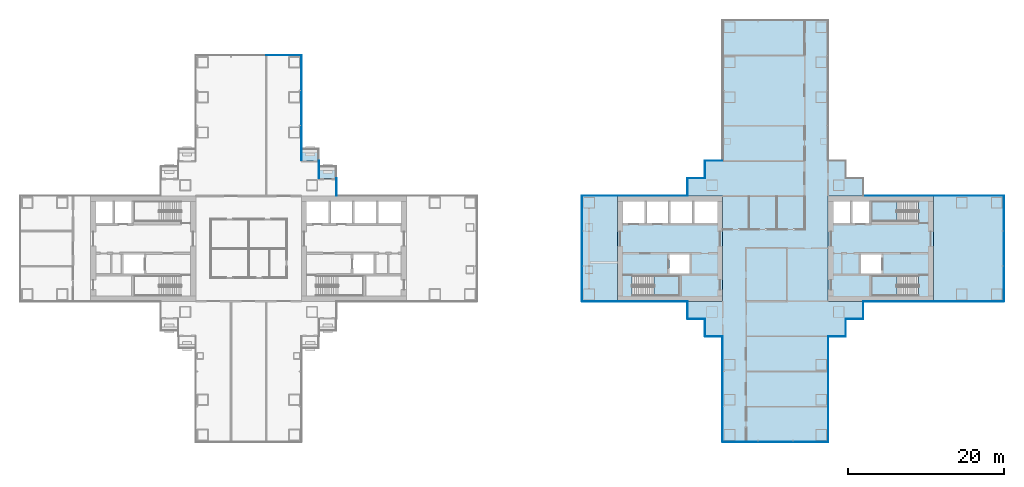
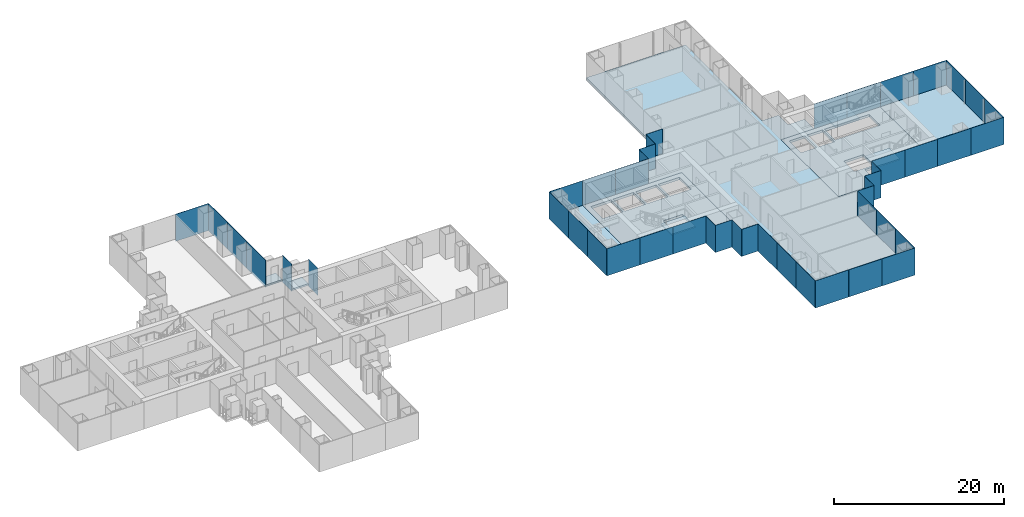
# One storey, part 11 of 21: 47 plates, 10 slabs, 22 elements without a shape of their own.
"""IFC4 building model written with IfcOpenShell, lengths in metres."""

from ifc_helpers import new_model, si_unit, direction, frame, origin, origin_2d, place, context, subcontext, project, spatial, polyline, rectangle, outline, extrude, material, layer, layer_set, type_object, element, aggregate, save


model = new_model("IFC4")

# Units and contexts
model_context = context("Model", 3, precision=1e-05, world=origin(), true_north=direction((0.0, 1.0)))
body_context = subcontext(model_context, "Body", "Model", "MODEL_VIEW")
ifc_project = project(units=[si_unit("LENGTHUNIT", "METRE"), si_unit("AREAUNIT", "SQUARE_METRE"), si_unit("VOLUMEUNIT", "CUBIC_METRE"), si_unit("PLANEANGLEUNIT", "RADIAN"), si_unit("MASSUNIT", "GRAM", prefix="KILO")], contexts=[model_context])

# Site, building, storey
site_placement = place(None, origin())
site = spatial("IfcSite", under=ifc_project, at=site_placement, CompositionType="ELEMENT")
building_placement = place(site_placement, origin())
building = spatial("IfcBuilding", under=site, at=building_placement, Name="Shamsa Quay Exchange Towers", CompositionType="ELEMENT")
storey_placement = place(building_placement, frame((0.0, 0.0, 45.89990234375)))
storey = spatial("IfcBuildingStorey", under=building, at=storey_placement, Name="L09", CompositionType="ELEMENT", Elevation=45.89990234375)

# Slabs
ifc_material_1 = material(Name="Precast concrete C40/50", Category="concrete")
ifc_layer_1 = layer(ifc_material_1, 0.25)
ifc_layer_set_1 = layer_set([ifc_layer_1], Name="BALCONY SLAB 250")
slab_type_1 = type_object("IfcSlabType", Name="BALCONY SLAB 250", PredefinedType="FLOOR", material=ifc_layer_set_1)
slab_1_placement = place(storey_placement, frame((0.0, 0.0, -0.25)))
element("IfcSlab", 1, at=slab_1_placement, inside=storey, type_object=slab_type_1, Name="Balcony T1-PKEN L09", PredefinedType="FLOOR", context=body_context, shape_type="SweptSolid", body=[
    extrude(outline(polyline([(-22.5, 9.0), (-24.7119140625, 9.0), (-24.7119140625, 10.550048828125), (-22.5, 10.550048828125), (-22.5, 9.0)])), origin(), (0.0, 0.0, 1.0), 0.25),
])
slab_2_placement = place(storey_placement, frame((0.0, 0.0, -0.25)))
element("IfcSlab", 2, at=slab_2_placement, inside=storey, type_object=slab_type_1, Name="Balcony T1-PKEN L09", PredefinedType="FLOOR", context=body_context, shape_type="SweptSolid", body=[
    extrude(outline(polyline([(-24.75, 11.25), (-26.9619140625, 11.25), (-26.9619140625, 12.800048828125), (-24.75, 12.800048828125), (-24.75, 11.25)])), origin(), (0.0, 0.0, 1.0), 0.25),
])
ifc_material_2 = material(Name="Concrete C50/60", Category="concrete")
ifc_layer_2 = layer(ifc_material_2, 0.35009765625)
ifc_layer_set_2 = layer_set([ifc_layer_2], Name="CORE FLOOR 350 C50/60")
slab_type_2 = type_object("IfcSlabType", Name="CORE FLOOR 350 C50/60", PredefinedType="FLOOR", material=ifc_layer_set_2)
slab_3_placement = place(storey_placement, frame((0.0, 0.0, -0.349853515625)))
element("IfcSlab", 3, at=slab_3_placement, inside=storey, type_object=slab_type_2, Name="Core floor T2A", PredefinedType="FLOOR", context=body_context, shape_type="SweptSolid", body=[
    extrude(outline(polyline([(13.5, -6.75), (27.0, -6.75), (27.0, 6.75), (13.5, 6.75), (13.5, -6.75)]), holes=[polyline([(15.400634765625, -6.050048828125), (15.400634765625, -3.5), (21.5, -3.5), (21.5, -6.050048828125), (15.400634765625, -6.050048828125)]), polyline([(14.199951171875, 3.25), (14.199951171875, 6.050048828125), (17.0, 6.050048828125), (17.0, 3.25), (14.199951171875, 3.25)]), polyline([(17.25, 3.25), (17.25, 6.050048828125), (20.050048828125, 6.050048828125), (20.050048828125, 3.25), (17.25, 3.25)]), polyline([(20.300048828125, 3.25), (20.300048828125, 6.050048828125), (23.10009765625, 6.050048828125), (23.10009765625, 3.25), (20.300048828125, 3.25)]), polyline([(23.35009765625, 3.25), (23.35009765625, 6.050048828125), (26.300048828125, 6.050048828125), (26.300048828125, 3.25), (23.35009765625, 3.25)]), polyline([(20.14990234375, -3.25), (20.14990234375, -0.75), (22.800048828125, -0.75), (22.800048828125, -3.25), (20.14990234375, -3.25)])]), origin(), (0.0, 0.0, 1.0), 0.349853515625),
])
slab_4_placement = place(storey_placement, frame((0.0, 0.0, -0.349853515625)))
element("IfcSlab", 4, at=slab_4_placement, inside=storey, type_object=slab_type_2, Name="Core floor T2B", PredefinedType="FLOOR", context=body_context, shape_type="SweptSolid", body=[
    extrude(outline(polyline([(54.0, -6.75), (54.0, 6.75), (40.5, 6.75), (40.5, -6.75), (54.0, -6.75)]), holes=[polyline([(52.099365234375, -3.5), (52.099365234375, -6.050048828125), (46.0, -6.050048828125), (46.0, -3.5), (52.099365234375, -3.5)]), polyline([(52.099365234375, 6.050048828125), (52.099365234375, 3.5), (46.0, 3.5), (46.0, 6.050048828125), (52.099365234375, 6.050048828125)]), polyline([(45.75, 3.25), (43.60009765625, 3.25), (43.60009765625, 6.050048828125), (45.75, 6.050048828125), (45.75, 3.25)]), polyline([(43.35009765625, 3.25), (41.199951171875, 3.25), (41.199951171875, 6.050048828125), (43.35009765625, 6.050048828125), (43.35009765625, 3.25)]), polyline([(47.35009765625, -3.25), (44.699951171875, -3.25), (44.699951171875, -0.75), (47.35009765625, -0.75), (47.35009765625, -3.25)])]), origin(), (0.0, 0.0, 1.0), 0.349853515625),
])

# Stair, slab
ifc_material_3 = material(Name="Concrete C40/50", Category="concrete")
stair_type = type_object("IfcStairType", Name="EXIT STAIR 22 RISERS 177 MM", PredefinedType="HALF_TURN_STAIR", material=ifc_material_3)
stair_1_placement = place(storey_placement, origin())
stair_1 = element("IfcStair", 5, at=stair_1_placement, inside=storey, type_object=stair_type, Name="L09 Exit stair ST4", PredefinedType="HALF_TURN_STAIR")
ifc_layer_3 = layer(ifc_material_3, 0.199951171875)
ifc_layer_set_3 = layer_set([ifc_layer_3], Name="CORE STAIR LANDING")
slab_type_3 = type_object("IfcSlabType", Name="CORE STAIR LANDING", PredefinedType="LANDING", material=ifc_layer_set_3)
slab_5_placement = place(storey_placement, frame((0.0, 0.0, 1.75)))
slab_5 = element("IfcSlab", 6, at=slab_5_placement, type_object=slab_type_3, Name="ST4 landing 1", PredefinedType="LANDING", context=body_context, shape_type="SweptSolid", body=[
    extrude(outline(polyline([(18.199951171875, -6.050048828125), (21.5, -6.050048828125), (21.5, -3.5), (18.199951171875, -3.5), (18.199951171875, -6.050048828125)])), origin(), (0.0, 0.0, 1.0), 0.2001953125),
])
aggregate(stair_1, [slab_5])

stair_2_placement = place(storey_placement, origin())
stair_2 = element("IfcStair", 7, at=stair_2_placement, inside=storey, type_object=stair_type, Name="L09 Exit stair ST5", PredefinedType="HALF_TURN_STAIR")
slab_6_placement = place(storey_placement, frame((0.0, 0.0, 1.75)))
slab_6 = element("IfcSlab", 8, at=slab_6_placement, type_object=slab_type_3, Name="ST5 landing 1", PredefinedType="LANDING", context=body_context, shape_type="SweptSolid", body=[
    extrude(outline(polyline([(49.300048828125, -3.5), (46.0, -3.5), (46.0, -6.050048828125), (49.300048828125, -6.050048828125), (49.300048828125, -3.5)])), origin(), (0.0, 0.0, 1.0), 0.2001953125),
])
aggregate(stair_2, [slab_6])

stair_3_placement = place(storey_placement, origin())
stair_3 = element("IfcStair", 9, at=stair_3_placement, inside=storey, type_object=stair_type, Name="L09 Exit stair ST6", PredefinedType="HALF_TURN_STAIR")
slab_7_placement = place(storey_placement, frame((0.0, 0.0, 1.75)))
slab_7 = element("IfcSlab", 10, at=slab_7_placement, type_object=slab_type_3, Name="ST6 landing 1", PredefinedType="LANDING", context=body_context, shape_type="SweptSolid", body=[
    extrude(outline(polyline([(49.300048828125, 6.050048828125), (46.0, 6.050048828125), (46.0, 3.5), (49.300048828125, 3.5), (49.300048828125, 6.050048828125)])), origin(), (0.0, 0.0, 1.0), 0.2001953125),
])
aggregate(stair_3, [slab_7])

# Curtain wall, plates
ifc_material_4 = material(Name="Aluminium EN AW-6063 T6, black anodised", Category="aluminium")
ifc_layer_4 = layer(ifc_material_4, 0.280029296875)
ifc_layer_set_4 = layer_set([ifc_layer_4], Name="CW-1 UNITISED VISION GLASS")
curtain_wall_type_1 = type_object("IfcCurtainWallType", Name="CW-1 UNITISED VISION GLASS", PredefinedType="NOTDEFINED", material=ifc_layer_set_4)
curtain_wall_1_placement = place(storey_placement, origin())
curtain_wall_1 = element("IfcCurtainWall", 11, at=curtain_wall_1_placement, inside=storey, type_object=curtain_wall_type_1, Name="CW1 T1-FLK-V+E L09", PredefinedType="NOTDEFINED")
ifc_material_5 = material(Name="Glass, laminated, dark tinted", Category="glass")
ifc_layer_5 = layer(ifc_material_5, 0.0400390625)
ifc_layer_set_5 = layer_set([ifc_layer_5], Name="CW-1 VISION GLASS 40")
plate_type_1 = type_object("IfcPlateType", Name="CW-1 VISION GLASS 40", PredefinedType="CURTAIN_PANEL", material=ifc_layer_set_5)
plate_1_placement = place(storey_placement, frame((-26.97998046875, 13.529052734375, -0.349853515625), z_axis=(0.0, 0.0, 1.0), x_axis=(0.0, 1.0, 0.0)))
plate_1 = element("IfcPlate", 12, at=plate_1_placement, type_object=plate_type_1, Name="CW1 glass panel", PredefinedType="CURTAIN_PANEL", context=body_context, shape_type="SweptSolid", body=[
    extrude(rectangle(XDim=4.482421875, YDim=0.0400390625, at=origin_2d()), origin(), (0.0, 0.0, 1.0), 3.89990234375),
])
plate_2_placement = place(storey_placement, frame((-26.97998046875, 18.01904296875, -0.349853515625), z_axis=(0.0, 0.0, 1.0), x_axis=(0.0, 1.0, 0.0)))
plate_2 = element("IfcPlate", 13, at=plate_2_placement, type_object=plate_type_1, Name="CW1 glass panel", PredefinedType="CURTAIN_PANEL", context=body_context, shape_type="SweptSolid", body=[
    extrude(rectangle(XDim=4.477294921875, YDim=0.0400390625, at=origin_2d()), origin(), (0.0, 0.0, 1.0), 3.89990234375),
])
plate_3_placement = place(storey_placement, frame((-26.97998046875, 22.5087890625, -0.349853515625), z_axis=(0.0, 0.0, 1.0), x_axis=(0.0, 1.0, 0.0)))
plate_3 = element("IfcPlate", 14, at=plate_3_placement, type_object=plate_type_1, Name="CW1 glass panel", PredefinedType="CURTAIN_PANEL", context=body_context, shape_type="SweptSolid", body=[
    extrude(rectangle(XDim=4.482421875, YDim=0.0400390625, at=origin_2d()), origin(), (0.0, 0.0, 1.0), 3.89990234375),
])
aggregate(curtain_wall_1, [plate_1, plate_2, plate_3])

# Curtain wall, plate
curtain_wall_2_placement = place(storey_placement, origin())
curtain_wall_2 = element("IfcCurtainWall", 15, at=curtain_wall_2_placement, inside=storey, type_object=curtain_wall_type_1, Name="CW1 T1-END-V+ L09", PredefinedType="NOTDEFINED")
plate_4_placement = place(storey_placement, frame((-29.24755859375, 24.77001953125, -0.349853515625), z_axis=(0.0, 0.0, 1.0), x_axis=(-1.0, 0.0, 0.0)))
plate_4 = element("IfcPlate", 16, at=plate_4_placement, type_object=plate_type_1, Name="CW1 glass panel", PredefinedType="CURTAIN_PANEL", context=body_context, shape_type="SweptSolid", body=[
    extrude(rectangle(XDim=4.4951171875, YDim=0.0400390625, at=origin_2d()), origin(), (0.0, 0.0, 1.0), 3.89990234375),
])
aggregate(curtain_wall_2, [plate_4])

# Curtain wall, plates
curtain_wall_3_placement = place(storey_placement, origin())
curtain_wall_3 = element("IfcCurtainWall", 17, at=curtain_wall_3_placement, inside=storey, type_object=curtain_wall_type_1, Name="CW1 T2-FLK-V-W L09", PredefinedType="NOTDEFINED")
plate_5_placement = place(storey_placement, frame((56.24755859375, -6.77001953125, -0.349853515625)))
plate_5 = element("IfcPlate", 18, at=plate_5_placement, type_object=plate_type_1, Name="CW1 glass panel", PredefinedType="CURTAIN_PANEL", context=body_context, shape_type="SweptSolid", body=[
    extrude(rectangle(XDim=4.4951171875, YDim=0.0400390625, at=origin_2d()), origin(), (0.0, 0.0, 1.0), 3.89990234375),
])
plate_6_placement = place(storey_placement, frame((60.75244140625, -6.77001953125, -0.349853515625)))
plate_6 = element("IfcPlate", 19, at=plate_6_placement, type_object=plate_type_1, Name="CW1 glass panel", PredefinedType="CURTAIN_PANEL", context=body_context, shape_type="SweptSolid", body=[
    extrude(rectangle(XDim=4.4951171875, YDim=0.0400390625, at=origin_2d()), origin(), (0.0, 0.0, 1.0), 3.89990234375),
])
aggregate(curtain_wall_3, [plate_5, plate_6])

curtain_wall_4_placement = place(storey_placement, origin())
curtain_wall_4 = element("IfcCurtainWall", 20, at=curtain_wall_4_placement, inside=storey, type_object=curtain_wall_type_1, Name="CW1 T2-END-V- L09", PredefinedType="NOTDEFINED")
plate_7_placement = place(storey_placement, frame((63.02001953125, -4.50244140625, -0.349853515625), z_axis=(0.0, 0.0, 1.0), x_axis=(0.0, 1.0, 0.0)))
plate_7 = element("IfcPlate", 21, at=plate_7_placement, type_object=plate_type_1, Name="CW1 glass panel", PredefinedType="CURTAIN_PANEL", context=body_context, shape_type="SweptSolid", body=[
    extrude(rectangle(XDim=4.4951171875, YDim=0.0400390625, at=origin_2d()), origin(), (0.0, 0.0, 1.0), 3.89990234375),
])
plate_8_placement = place(storey_placement, frame((63.02001953125, 0.0, -0.349853515625), z_axis=(0.0, 0.0, 1.0), x_axis=(0.0, 1.0, 0.0)))
plate_8 = element("IfcPlate", 22, at=plate_8_placement, type_object=plate_type_1, Name="CW1 glass panel", PredefinedType="CURTAIN_PANEL", context=body_context, shape_type="SweptSolid", body=[
    extrude(rectangle(XDim=4.489990234375, YDim=0.0400390625, at=origin_2d()), origin(), (0.0, 0.0, 1.0), 3.89990234375),
])
plate_9_placement = place(storey_placement, frame((63.02001953125, 4.50244140625, -0.349853515625), z_axis=(0.0, 0.0, 1.0), x_axis=(0.0, 1.0, 0.0)))
plate_9 = element("IfcPlate", 23, at=plate_9_placement, type_object=plate_type_1, Name="CW1 glass panel", PredefinedType="CURTAIN_PANEL", context=body_context, shape_type="SweptSolid", body=[
    extrude(rectangle(XDim=4.4951171875, YDim=0.0400390625, at=origin_2d()), origin(), (0.0, 0.0, 1.0), 3.89990234375),
])
aggregate(curtain_wall_4, [plate_7, plate_8, plate_9])

curtain_wall_5_placement = place(storey_placement, origin())
curtain_wall_5 = element("IfcCurtainWall", 24, at=curtain_wall_5_placement, inside=storey, type_object=curtain_wall_type_1, Name="CW1 T2-FLK-V-E L09", PredefinedType="NOTDEFINED")
plate_10_placement = place(storey_placement, frame((60.75244140625, 6.77001953125, -0.349853515625), z_axis=(0.0, 0.0, 1.0), x_axis=(-1.0, 0.0, 0.0)))
plate_10 = element("IfcPlate", 25, at=plate_10_placement, type_object=plate_type_1, Name="CW1 glass panel", PredefinedType="CURTAIN_PANEL", context=body_context, shape_type="SweptSolid", body=[
    extrude(rectangle(XDim=4.4951171875, YDim=0.0400390625, at=origin_2d()), origin(), (0.0, 0.0, 1.0), 3.89990234375),
])
plate_11_placement = place(storey_placement, frame((56.24755859375, 6.77001953125, -0.349853515625), z_axis=(0.0, 0.0, 1.0), x_axis=(-1.0, 0.0, 0.0)))
plate_11 = element("IfcPlate", 26, at=plate_11_placement, type_object=plate_type_1, Name="CW1 glass panel", PredefinedType="CURTAIN_PANEL", context=body_context, shape_type="SweptSolid", body=[
    extrude(rectangle(XDim=4.4951171875, YDim=0.0400390625, at=origin_2d()), origin(), (0.0, 0.0, 1.0), 3.89990234375),
])
aggregate(curtain_wall_5, [plate_10, plate_11])

# Curtain wall, plate
curtain_wall_6_placement = place(storey_placement, origin())
curtain_wall_6 = element("IfcCurtainWall", 27, at=curtain_wall_6_placement, inside=storey, type_object=curtain_wall_type_1, Name="CW1 T2-FLK-V+E L09", PredefinedType="NOTDEFINED")
plate_12_placement = place(storey_placement, frame((11.25, 6.77001953125, -0.349853515625), z_axis=(0.0, 0.0, 1.0), x_axis=(-1.0, 0.0, 0.0)))
plate_12 = element("IfcPlate", 28, at=plate_12_placement, type_object=plate_type_1, Name="CW1 glass panel", PredefinedType="CURTAIN_PANEL", context=body_context, shape_type="SweptSolid", body=[
    extrude(rectangle(XDim=4.5, YDim=0.0400390625, at=origin_2d()), origin(), (0.0, 0.0, 1.0), 3.89990234375),
])
aggregate(curtain_wall_6, [plate_12])

# Curtain wall, plates
curtain_wall_7_placement = place(storey_placement, origin())
curtain_wall_7 = element("IfcCurtainWall", 29, at=curtain_wall_7_placement, inside=storey, type_object=curtain_wall_type_1, Name="CW1 T2-END-V+ L09", PredefinedType="NOTDEFINED")
plate_13_placement = place(storey_placement, frame((8.97998046875, 4.50244140625, -0.349853515625), z_axis=(0.0, 0.0, 1.0), x_axis=(0.0, -1.0, 0.0)))
plate_13 = element("IfcPlate", 30, at=plate_13_placement, type_object=plate_type_1, Name="CW1 glass panel", PredefinedType="CURTAIN_PANEL", context=body_context, shape_type="SweptSolid", body=[
    extrude(rectangle(XDim=4.4951171875, YDim=0.0400390625, at=origin_2d()), origin(), (0.0, 0.0, 1.0), 3.89990234375),
])
plate_14_placement = place(storey_placement, frame((8.97998046875, 0.0, -0.349853515625), z_axis=(0.0, 0.0, 1.0), x_axis=(0.0, -1.0, 0.0)))
plate_14 = element("IfcPlate", 31, at=plate_14_placement, type_object=plate_type_1, Name="CW1 glass panel", PredefinedType="CURTAIN_PANEL", context=body_context, shape_type="SweptSolid", body=[
    extrude(rectangle(XDim=4.489990234375, YDim=0.0400390625, at=origin_2d()), origin(), (0.0, 0.0, 1.0), 3.89990234375),
])
plate_15_placement = place(storey_placement, frame((8.97998046875, -4.50244140625, -0.349853515625), z_axis=(0.0, 0.0, 1.0), x_axis=(0.0, -1.0, 0.0)))
plate_15 = element("IfcPlate", 32, at=plate_15_placement, type_object=plate_type_1, Name="CW1 glass panel", PredefinedType="CURTAIN_PANEL", context=body_context, shape_type="SweptSolid", body=[
    extrude(rectangle(XDim=4.4951171875, YDim=0.0400390625, at=origin_2d()), origin(), (0.0, 0.0, 1.0), 3.89990234375),
])
aggregate(curtain_wall_7, [plate_13, plate_14, plate_15])

# Curtain wall, plate
curtain_wall_8_placement = place(storey_placement, origin())
curtain_wall_8 = element("IfcCurtainWall", 33, at=curtain_wall_8_placement, inside=storey, type_object=curtain_wall_type_1, Name="CW1 T2-FLK-V+W L09", PredefinedType="NOTDEFINED")
plate_16_placement = place(storey_placement, frame((11.25, -6.77001953125, -0.349853515625)))
plate_16 = element("IfcPlate", 34, at=plate_16_placement, type_object=plate_type_1, Name="CW1 glass panel", PredefinedType="CURTAIN_PANEL", context=body_context, shape_type="SweptSolid", body=[
    extrude(rectangle(XDim=4.5, YDim=0.0400390625, at=origin_2d()), origin(), (0.0, 0.0, 1.0), 3.89990234375),
])
aggregate(curtain_wall_8, [plate_16])

# Curtain wall, plates
curtain_wall_9_placement = place(storey_placement, origin())
curtain_wall_9 = element("IfcCurtainWall", 35, at=curtain_wall_9_placement, inside=storey, type_object=curtain_wall_type_1, Name="CW1 T2-FLK-U-N L09", PredefinedType="NOTDEFINED")
plate_17_placement = place(storey_placement, frame((26.97998046875, -13.529052734375, -0.349853515625), z_axis=(0.0, 0.0, 1.0), x_axis=(0.0, -1.0, 0.0)))
plate_17 = element("IfcPlate", 36, at=plate_17_placement, type_object=plate_type_1, Name="CW1 glass panel", PredefinedType="CURTAIN_PANEL", context=body_context, shape_type="SweptSolid", body=[
    extrude(rectangle(XDim=4.482421875, YDim=0.0400390625, at=origin_2d()), origin(), (0.0, 0.0, 1.0), 3.89990234375),
])
plate_18_placement = place(storey_placement, frame((26.97998046875, -18.01904296875, -0.349853515625), z_axis=(0.0, 0.0, 1.0), x_axis=(0.0, -1.0, 0.0)))
plate_18 = element("IfcPlate", 37, at=plate_18_placement, type_object=plate_type_1, Name="CW1 glass panel", PredefinedType="CURTAIN_PANEL", context=body_context, shape_type="SweptSolid", body=[
    extrude(rectangle(XDim=4.477294921875, YDim=0.0400390625, at=origin_2d()), origin(), (0.0, 0.0, 1.0), 3.89990234375),
])
plate_19_placement = place(storey_placement, frame((26.97998046875, -22.5087890625, -0.349853515625), z_axis=(0.0, 0.0, 1.0), x_axis=(0.0, -1.0, 0.0)))
plate_19 = element("IfcPlate", 38, at=plate_19_placement, type_object=plate_type_1, Name="CW1 glass panel", PredefinedType="CURTAIN_PANEL", context=body_context, shape_type="SweptSolid", body=[
    extrude(rectangle(XDim=4.482421875, YDim=0.0400390625, at=origin_2d()), origin(), (0.0, 0.0, 1.0), 3.89990234375),
])
aggregate(curtain_wall_9, [plate_17, plate_18, plate_19])

curtain_wall_10_placement = place(storey_placement, origin())
curtain_wall_10 = element("IfcCurtainWall", 39, at=curtain_wall_10_placement, inside=storey, type_object=curtain_wall_type_1, Name="CW1 T2-END-U- L09", PredefinedType="NOTDEFINED")
plate_20_placement = place(storey_placement, frame((29.24755859375, -24.77001953125, -0.349853515625)))
plate_20 = element("IfcPlate", 40, at=plate_20_placement, type_object=plate_type_1, Name="CW1 glass panel", PredefinedType="CURTAIN_PANEL", context=body_context, shape_type="SweptSolid", body=[
    extrude(rectangle(XDim=4.4951171875, YDim=0.0400390625, at=origin_2d()), origin(), (0.0, 0.0, 1.0), 3.89990234375),
])
plate_21_placement = place(storey_placement, frame((33.75, -24.77001953125, -0.349853515625)))
plate_21 = element("IfcPlate", 41, at=plate_21_placement, type_object=plate_type_1, Name="CW1 glass panel", PredefinedType="CURTAIN_PANEL", context=body_context, shape_type="SweptSolid", body=[
    extrude(rectangle(XDim=4.489990234375, YDim=0.0400390625, at=origin_2d()), origin(), (0.0, 0.0, 1.0), 3.89990234375),
])
plate_22_placement = place(storey_placement, frame((38.25244140625, -24.77001953125, -0.349853515625)))
plate_22 = element("IfcPlate", 42, at=plate_22_placement, type_object=plate_type_1, Name="CW1 glass panel", PredefinedType="CURTAIN_PANEL", context=body_context, shape_type="SweptSolid", body=[
    extrude(rectangle(XDim=4.4951171875, YDim=0.0400390625, at=origin_2d()), origin(), (0.0, 0.0, 1.0), 3.89990234375),
])
aggregate(curtain_wall_10, [plate_20, plate_21, plate_22])

curtain_wall_11_placement = place(storey_placement, origin())
curtain_wall_11 = element("IfcCurtainWall", 43, at=curtain_wall_11_placement, inside=storey, type_object=curtain_wall_type_1, Name="CW1 T2-FLK-U-S L09", PredefinedType="NOTDEFINED")
plate_23_placement = place(storey_placement, frame((40.52001953125, -22.50244140625, -0.349853515625), z_axis=(0.0, 0.0, 1.0), x_axis=(0.0, 1.0, 0.0)))
plate_23 = element("IfcPlate", 44, at=plate_23_placement, type_object=plate_type_1, Name="CW1 glass panel", PredefinedType="CURTAIN_PANEL", context=body_context, shape_type="SweptSolid", body=[
    extrude(rectangle(XDim=4.4951171875, YDim=0.0400390625, at=origin_2d()), origin(), (0.0, 0.0, 1.0), 3.89990234375),
])
plate_24_placement = place(storey_placement, frame((40.52001953125, -18.0, -0.349853515625), z_axis=(0.0, 0.0, 1.0), x_axis=(0.0, 1.0, 0.0)))
plate_24 = element("IfcPlate", 45, at=plate_24_placement, type_object=plate_type_1, Name="CW1 glass panel", PredefinedType="CURTAIN_PANEL", context=body_context, shape_type="SweptSolid", body=[
    extrude(rectangle(XDim=4.489990234375, YDim=0.0400390625, at=origin_2d()), origin(), (0.0, 0.0, 1.0), 3.89990234375),
])
plate_25_placement = place(storey_placement, frame((40.52001953125, -13.49755859375, -0.349853515625), z_axis=(0.0, 0.0, 1.0), x_axis=(0.0, 1.0, 0.0)))
plate_25 = element("IfcPlate", 46, at=plate_25_placement, type_object=plate_type_1, Name="CW1 glass panel", PredefinedType="CURTAIN_PANEL", context=body_context, shape_type="SweptSolid", body=[
    extrude(rectangle(XDim=4.4951171875, YDim=0.0400390625, at=origin_2d()), origin(), (0.0, 0.0, 1.0), 3.89990234375),
])
aggregate(curtain_wall_11, [plate_23, plate_24, plate_25])

ifc_layer_6 = layer(ifc_material_4, 0.303955078125)
ifc_layer_set_6 = layer_set([ifc_layer_6], Name="CW-2 UNITISED OPAQUE SPANDREL GLASS")
curtain_wall_type_2 = type_object("IfcCurtainWallType", Name="CW-2 UNITISED OPAQUE SPANDREL GLASS", PredefinedType="NOTDEFINED", material=ifc_layer_set_6)
curtain_wall_12_placement = place(storey_placement, origin())
curtain_wall_12 = element("IfcCurtainWall", 47, at=curtain_wall_12_placement, inside=storey, type_object=curtain_wall_type_2, Name="CW2 T2-FLK-V-W L09", PredefinedType="NOTDEFINED")
ifc_material_6 = material(Name="Glass, laminated, black enamelled opaque", Category="glass")
ifc_layer_7 = layer(ifc_material_6, 0.0439453125)
ifc_layer_set_7 = layer_set([ifc_layer_7], Name="CW-2 SPANDREL GLASS 44")
plate_type_2 = type_object("IfcPlateType", Name="CW-2 SPANDREL GLASS 44", PredefinedType="CURTAIN_PANEL", material=ifc_layer_set_7)
plate_26_placement = place(storey_placement, frame((47.27587890625, -6.77197265625, -0.349853515625)))
plate_26 = element("IfcPlate", 48, at=plate_26_placement, type_object=plate_type_2, Name="CW2 glass panel", PredefinedType="CURTAIN_PANEL", context=body_context, shape_type="SweptSolid", body=[
    extrude(rectangle(XDim=4.47607421875, YDim=0.0439453125, at=origin_2d()), origin(), (0.0, 0.0, 1.0), 3.89990234375),
])
plate_27_placement = place(storey_placement, frame((51.761962890625, -6.77197265625, -0.349853515625)))
plate_27 = element("IfcPlate", 49, at=plate_27_placement, type_object=plate_type_2, Name="CW2 glass panel", PredefinedType="CURTAIN_PANEL", context=body_context, shape_type="SweptSolid", body=[
    extrude(rectangle(XDim=4.47607421875, YDim=0.0439453125, at=origin_2d()), origin(), (0.0, 0.0, 1.0), 3.89990234375),
])
aggregate(curtain_wall_12, [plate_26, plate_27])

curtain_wall_13_placement = place(storey_placement, origin())
curtain_wall_13 = element("IfcCurtainWall", 50, at=curtain_wall_13_placement, inside=storey, type_object=curtain_wall_type_2, Name="CW2 T2-FLK-V-E L09", PredefinedType="NOTDEFINED")
plate_28_placement = place(storey_placement, frame((51.75244140625, 6.77197265625, -0.349853515625), z_axis=(0.0, 0.0, 1.0), x_axis=(-1.0, 0.0, 0.0)))
plate_28 = element("IfcPlate", 51, at=plate_28_placement, type_object=plate_type_2, Name="CW2 glass panel", PredefinedType="CURTAIN_PANEL", context=body_context, shape_type="SweptSolid", body=[
    extrude(rectangle(XDim=4.4951171875, YDim=0.0439453125, at=origin_2d()), origin(), (0.0, 0.0, 1.0), 3.89990234375),
])
plate_29_placement = place(storey_placement, frame((47.24755859375, 6.77197265625, -0.349853515625), z_axis=(0.0, 0.0, 1.0), x_axis=(-1.0, 0.0, 0.0)))
plate_29 = element("IfcPlate", 52, at=plate_29_placement, type_object=plate_type_2, Name="CW2 glass panel", PredefinedType="CURTAIN_PANEL", context=body_context, shape_type="SweptSolid", body=[
    extrude(rectangle(XDim=4.4951171875, YDim=0.0439453125, at=origin_2d()), origin(), (0.0, 0.0, 1.0), 3.89990234375),
])
aggregate(curtain_wall_13, [plate_28, plate_29])

curtain_wall_14_placement = place(storey_placement, origin())
curtain_wall_14 = element("IfcCurtainWall", 53, at=curtain_wall_14_placement, inside=storey, type_object=curtain_wall_type_2, Name="CW2 T2-FLK-V+E L09", PredefinedType="NOTDEFINED")
plate_30_placement = place(storey_placement, frame((20.22412109375, 6.77197265625, -0.349853515625), z_axis=(0.0, 0.0, 1.0), x_axis=(-1.0, 0.0, 0.0)))
plate_30 = element("IfcPlate", 54, at=plate_30_placement, type_object=plate_type_2, Name="CW2 glass panel", PredefinedType="CURTAIN_PANEL", context=body_context, shape_type="SweptSolid", body=[
    extrude(rectangle(XDim=4.47607421875, YDim=0.0439453125, at=origin_2d()), origin(), (0.0, 0.0, 1.0), 3.89990234375),
])
plate_31_placement = place(storey_placement, frame((15.738037109375, 6.77197265625, -0.349853515625), z_axis=(0.0, 0.0, 1.0), x_axis=(-1.0, 0.0, 0.0)))
plate_31 = element("IfcPlate", 55, at=plate_31_placement, type_object=plate_type_2, Name="CW2 glass panel", PredefinedType="CURTAIN_PANEL", context=body_context, shape_type="SweptSolid", body=[
    extrude(rectangle(XDim=4.47607421875, YDim=0.0439453125, at=origin_2d()), origin(), (0.0, 0.0, 1.0), 3.89990234375),
])
aggregate(curtain_wall_14, [plate_30, plate_31])

curtain_wall_15_placement = place(storey_placement, origin())
curtain_wall_15 = element("IfcCurtainWall", 56, at=curtain_wall_15_placement, inside=storey, type_object=curtain_wall_type_2, Name="CW2 T2-FLK-V+W L09", PredefinedType="NOTDEFINED")
plate_32_placement = place(storey_placement, frame((15.74755859375, -6.77197265625, -0.349853515625)))
plate_32 = element("IfcPlate", 57, at=plate_32_placement, type_object=plate_type_2, Name="CW2 glass panel", PredefinedType="CURTAIN_PANEL", context=body_context, shape_type="SweptSolid", body=[
    extrude(rectangle(XDim=4.4951171875, YDim=0.0439453125, at=origin_2d()), origin(), (0.0, 0.0, 1.0), 3.89990234375),
])
plate_33_placement = place(storey_placement, frame((20.25244140625, -6.77197265625, -0.349853515625)))
plate_33 = element("IfcPlate", 58, at=plate_33_placement, type_object=plate_type_2, Name="CW2 glass panel", PredefinedType="CURTAIN_PANEL", context=body_context, shape_type="SweptSolid", body=[
    extrude(rectangle(XDim=4.4951171875, YDim=0.0439453125, at=origin_2d()), origin(), (0.0, 0.0, 1.0), 3.89990234375),
])
aggregate(curtain_wall_15, [plate_32, plate_33])

ifc_layer_8 = layer(ifc_material_4, 0.256103515625)
ifc_layer_set_8 = layer_set([ifc_layer_8], Name="CW-4 POCKET SERRATED GLAZING")
curtain_wall_type_3 = type_object("IfcCurtainWallType", Name="CW-4 POCKET SERRATED GLAZING", PredefinedType="NOTDEFINED", material=ifc_layer_set_8)
curtain_wall_16_placement = place(storey_placement, origin())
curtain_wall_16 = element("IfcCurtainWall", 59, at=curtain_wall_16_placement, inside=storey, type_object=curtain_wall_type_3, Name="CW4 PKEN L09", PredefinedType="NOTDEFINED")
ifc_layer_9 = layer(ifc_material_5, 0.035888671875)
ifc_layer_set_9 = layer_set([ifc_layer_9], Name="CW-4 POCKET GLASS 36")
plate_type_3 = type_object("IfcPlateType", Name="CW-4 POCKET GLASS 36", PredefinedType="CURTAIN_PANEL", material=ifc_layer_set_9)
plate_34_placement = place(storey_placement, frame((-22.48193359375, 7.89794921875, -0.349853515625), z_axis=(0.0, 0.0, 1.0), x_axis=(0.0, 1.0, 0.0)))
plate_34 = element("IfcPlate", 60, at=plate_34_placement, type_object=plate_type_3, Name="CW4 glass panel", PredefinedType="CURTAIN_PANEL", context=body_context, shape_type="SweptSolid", body=[
    extrude(rectangle(XDim=2.2041015625, YDim=0.035888671875, at=origin_2d()), origin(), (0.0, 0.0, 1.0), 3.89990234375),
])
plate_35_placement = place(storey_placement, frame((-24.73193359375, 10.14404296875, -0.349853515625), z_axis=(0.0, 0.0, 1.0), x_axis=(0.0, 1.0, 0.0)))
plate_35 = element("IfcPlate", 61, at=plate_35_placement, type_object=plate_type_3, Name="CW4 glass panel", PredefinedType="CURTAIN_PANEL", context=body_context, shape_type="SweptSolid", body=[
    extrude(rectangle(XDim=2.2119140625, YDim=0.035888671875, at=origin_2d()), origin(), (0.0, 0.0, 1.0), 3.89990234375),
])
aggregate(curtain_wall_16, [plate_34, plate_35])

curtain_wall_17_placement = place(storey_placement, origin())
curtain_wall_17 = element("IfcCurtainWall", 62, at=curtain_wall_17_placement, inside=storey, type_object=curtain_wall_type_3, Name="CW4 PKWS L09", PredefinedType="NOTDEFINED")
plate_36_placement = place(storey_placement, frame((43.89404296875, -9.01806640625, -0.349853515625)))
plate_36 = element("IfcPlate", 63, at=plate_36_placement, type_object=plate_type_3, Name="CW4 glass panel", PredefinedType="CURTAIN_PANEL", context=body_context, shape_type="SweptSolid", body=[
    extrude(rectangle(XDim=2.2119140625, YDim=0.035888671875, at=origin_2d()), origin(), (0.0, 0.0, 1.0), 3.89990234375),
])
plate_37_placement = place(storey_placement, frame((45.01806640625, -7.875, -0.349853515625), z_axis=(0.0, 0.0, 1.0), x_axis=(0.0, 1.0, 0.0)))
plate_37 = element("IfcPlate", 64, at=plate_37_placement, type_object=plate_type_3, Name="CW4 glass panel", PredefinedType="CURTAIN_PANEL", context=body_context, shape_type="SweptSolid", body=[
    extrude(rectangle(XDim=2.25, YDim=0.035888671875, at=origin_2d()), origin(), (0.0, 0.0, 1.0), 3.89990234375),
])
plate_38_placement = place(storey_placement, frame((41.64599609375, -11.26806640625, -0.349853515625)))
plate_38 = element("IfcPlate", 65, at=plate_38_placement, type_object=plate_type_3, Name="CW4 glass panel", PredefinedType="CURTAIN_PANEL", context=body_context, shape_type="SweptSolid", body=[
    extrude(rectangle(XDim=2.2080078125, YDim=0.035888671875, at=origin_2d()), origin(), (0.0, 0.0, 1.0), 3.89990234375),
])
plate_39_placement = place(storey_placement, frame((42.76806640625, -10.125, -0.349853515625), z_axis=(0.0, 0.0, 1.0), x_axis=(0.0, 1.0, 0.0)))
plate_39 = element("IfcPlate", 66, at=plate_39_placement, type_object=plate_type_3, Name="CW4 glass panel", PredefinedType="CURTAIN_PANEL", context=body_context, shape_type="SweptSolid", body=[
    extrude(rectangle(XDim=2.25, YDim=0.035888671875, at=origin_2d()), origin(), (0.0, 0.0, 1.0), 3.89990234375),
])
aggregate(curtain_wall_17, [plate_36, plate_37, plate_38, plate_39])

curtain_wall_18_placement = place(storey_placement, origin())
curtain_wall_18 = element("IfcCurtainWall", 67, at=curtain_wall_18_placement, inside=storey, type_object=curtain_wall_type_3, Name="CW4 PKEN L09", PredefinedType="NOTDEFINED")
plate_40_placement = place(storey_placement, frame((25.85400390625, 11.26806640625, -0.349853515625), z_axis=(0.0, 0.0, 1.0), x_axis=(-1.0, 0.0, 0.0)))
plate_40 = element("IfcPlate", 68, at=plate_40_placement, type_object=plate_type_3, Name="CW4 glass panel", PredefinedType="CURTAIN_PANEL", context=body_context, shape_type="SweptSolid", body=[
    extrude(rectangle(XDim=2.2080078125, YDim=0.035888671875, at=origin_2d()), origin(), (0.0, 0.0, 1.0), 3.89990234375),
])
plate_41_placement = place(storey_placement, frame((24.73193359375, 10.125, -0.349853515625), z_axis=(0.0, 0.0, 1.0), x_axis=(0.0, -1.0, 0.0)))
plate_41 = element("IfcPlate", 69, at=plate_41_placement, type_object=plate_type_3, Name="CW4 glass panel", PredefinedType="CURTAIN_PANEL", context=body_context, shape_type="SweptSolid", body=[
    extrude(rectangle(XDim=2.25, YDim=0.035888671875, at=origin_2d()), origin(), (0.0, 0.0, 1.0), 3.89990234375),
])
plate_42_placement = place(storey_placement, frame((23.60595703125, 9.01806640625, -0.349853515625), z_axis=(0.0, 0.0, 1.0), x_axis=(-1.0, 0.0, 0.0)))
plate_42 = element("IfcPlate", 70, at=plate_42_placement, type_object=plate_type_3, Name="CW4 glass panel", PredefinedType="CURTAIN_PANEL", context=body_context, shape_type="SweptSolid", body=[
    extrude(rectangle(XDim=2.2119140625, YDim=0.035888671875, at=origin_2d()), origin(), (0.0, 0.0, 1.0), 3.89990234375),
])
plate_43_placement = place(storey_placement, frame((22.48193359375, 7.875, -0.349853515625), z_axis=(0.0, 0.0, 1.0), x_axis=(0.0, -1.0, 0.0)))
plate_43 = element("IfcPlate", 71, at=plate_43_placement, type_object=plate_type_3, Name="CW4 glass panel", PredefinedType="CURTAIN_PANEL", context=body_context, shape_type="SweptSolid", body=[
    extrude(rectangle(XDim=2.25, YDim=0.035888671875, at=origin_2d()), origin(), (0.0, 0.0, 1.0), 3.89990234375),
])
aggregate(curtain_wall_18, [plate_40, plate_41, plate_42, plate_43])

curtain_wall_19_placement = place(storey_placement, origin())
curtain_wall_19 = element("IfcCurtainWall", 72, at=curtain_wall_19_placement, inside=storey, type_object=curtain_wall_type_3, Name="CW4 PKWN L09", PredefinedType="NOTDEFINED")
plate_44_placement = place(storey_placement, frame((22.48193359375, -7.89794921875, -0.349853515625), z_axis=(0.0, 0.0, 1.0), x_axis=(0.0, -1.0, 0.0)))
plate_44 = element("IfcPlate", 73, at=plate_44_placement, type_object=plate_type_3, Name="CW4 glass panel", PredefinedType="CURTAIN_PANEL", context=body_context, shape_type="SweptSolid", body=[
    extrude(rectangle(XDim=2.2041015625, YDim=0.035888671875, at=origin_2d()), origin(), (0.0, 0.0, 1.0), 3.89990234375),
])
plate_45_placement = place(storey_placement, frame((23.625, -9.01806640625, -0.349853515625)))
plate_45 = element("IfcPlate", 74, at=plate_45_placement, type_object=plate_type_3, Name="CW4 glass panel", PredefinedType="CURTAIN_PANEL", context=body_context, shape_type="SweptSolid", body=[
    extrude(rectangle(XDim=2.25, YDim=0.035888671875, at=origin_2d()), origin(), (0.0, 0.0, 1.0), 3.89990234375),
])
plate_46_placement = place(storey_placement, frame((24.73193359375, -10.14404296875, -0.349853515625), z_axis=(0.0, 0.0, 1.0), x_axis=(0.0, -1.0, 0.0)))
plate_46 = element("IfcPlate", 75, at=plate_46_placement, type_object=plate_type_3, Name="CW4 glass panel", PredefinedType="CURTAIN_PANEL", context=body_context, shape_type="SweptSolid", body=[
    extrude(rectangle(XDim=2.2119140625, YDim=0.035888671875, at=origin_2d()), origin(), (0.0, 0.0, 1.0), 3.89990234375),
])
plate_47_placement = place(storey_placement, frame((25.875, -11.26806640625, -0.349853515625)))
plate_47 = element("IfcPlate", 76, at=plate_47_placement, type_object=plate_type_3, Name="CW4 glass panel", PredefinedType="CURTAIN_PANEL", context=body_context, shape_type="SweptSolid", body=[
    extrude(rectangle(XDim=2.25, YDim=0.035888671875, at=origin_2d()), origin(), (0.0, 0.0, 1.0), 3.89990234375),
])
aggregate(curtain_wall_19, [plate_44, plate_45, plate_46, plate_47])

# Slabs
ifc_layer_10 = layer(ifc_material_3, 0.35009765625)
ifc_layer_set_10 = layer_set([ifc_layer_10], Name="Flat slab 350")
slab_type_4 = type_object("IfcSlabType", Name="Flat slab 350", PredefinedType="FLOOR", material=ifc_layer_set_10)
slab_8_placement = place(storey_placement, frame((0.0, 0.0, -0.349853515625)))
element("IfcSlab", 77, at=slab_8_placement, inside=storey, type_object=slab_type_4, Name="Flat slab T2 L09 4", PredefinedType="FLOOR", context=body_context, shape_type="SweptSolid", body=[
    extrude(outline(polyline([(9.0, -6.75), (13.5, -6.75), (13.5, 6.75), (9.0, 6.75), (9.0, -6.75)])), origin(), (0.0, 0.0, 1.0), 0.349853515625),
])
slab_9_placement = place(storey_placement, frame((0.0, 0.0, -0.349853515625)))
element("IfcSlab", 78, at=slab_9_placement, inside=storey, type_object=slab_type_4, Name="Flat slab T2 L09 5", PredefinedType="FLOOR", context=body_context, shape_type="SweptSolid", body=[
    extrude(outline(polyline([(45.0, -9.0), (45.0, -6.75), (40.5, -6.75), (40.5, 6.75), (45.0, 6.75), (45.0, 9.0), (42.75, 9.0), (42.75, 11.25), (40.5, 11.25), (40.5, 29.25), (27.0, 29.25), (27.0, 11.25), (24.75, 11.25), (24.75, 9.0), (22.5, 9.0), (22.5, 6.75), (27.0, 6.75), (27.0, -6.75), (22.5, -6.75), (22.5, -9.0), (24.75, -9.0), (24.75, -11.25), (27.0, -11.25), (27.0, -24.75), (40.5, -24.75), (40.5, -11.25), (42.75, -11.25), (42.75, -9.0), (45.0, -9.0)])), origin(), (0.0, 0.0, 1.0), 0.349853515625),
])
slab_10_placement = place(storey_placement, frame((0.0, 0.0, -0.349853515625)))
element("IfcSlab", 79, at=slab_10_placement, inside=storey, type_object=slab_type_4, Name="Flat slab T2 L09 6", PredefinedType="FLOOR", context=body_context, shape_type="SweptSolid", body=[
    extrude(outline(polyline([(63.0, 6.75), (54.0, 6.75), (54.0, -6.75), (63.0, -6.75), (63.0, 6.75)])), origin(), (0.0, 0.0, 1.0), 0.349853515625),
])

save(model, "model.ifc")
